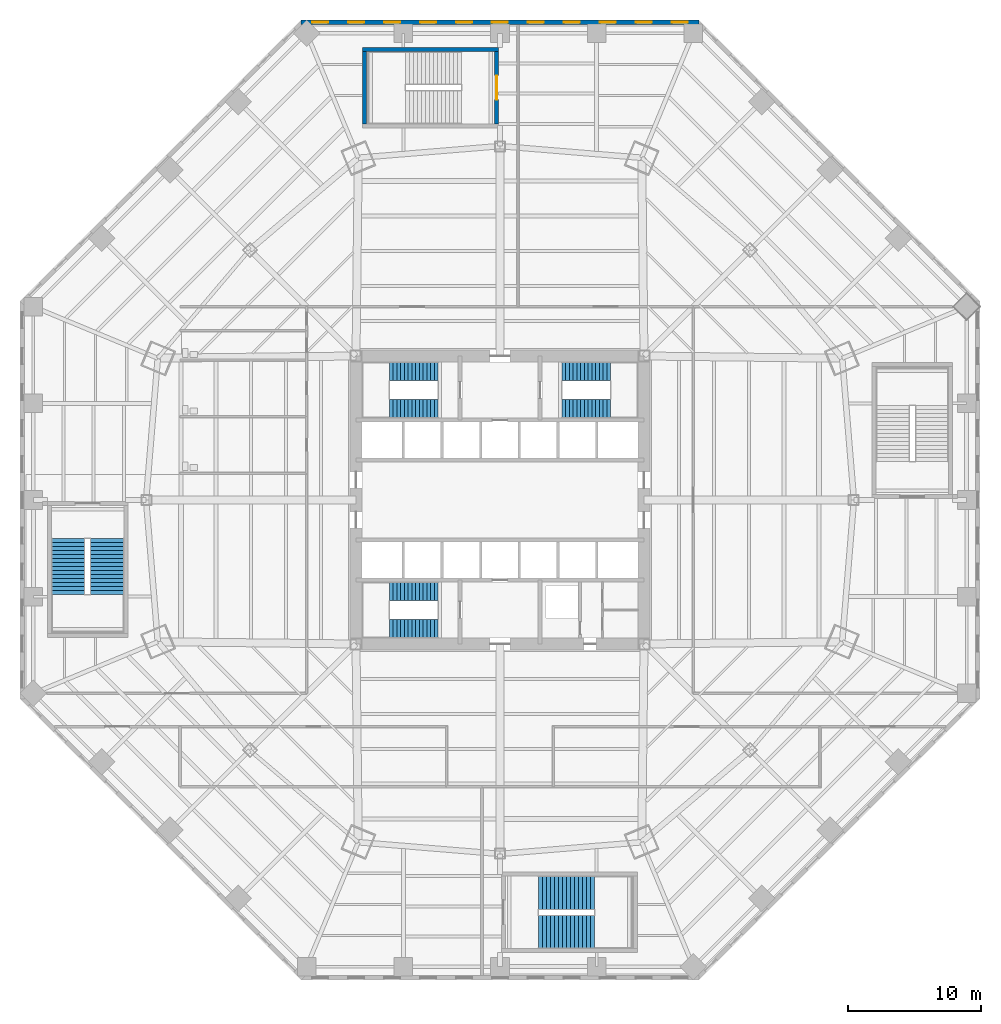
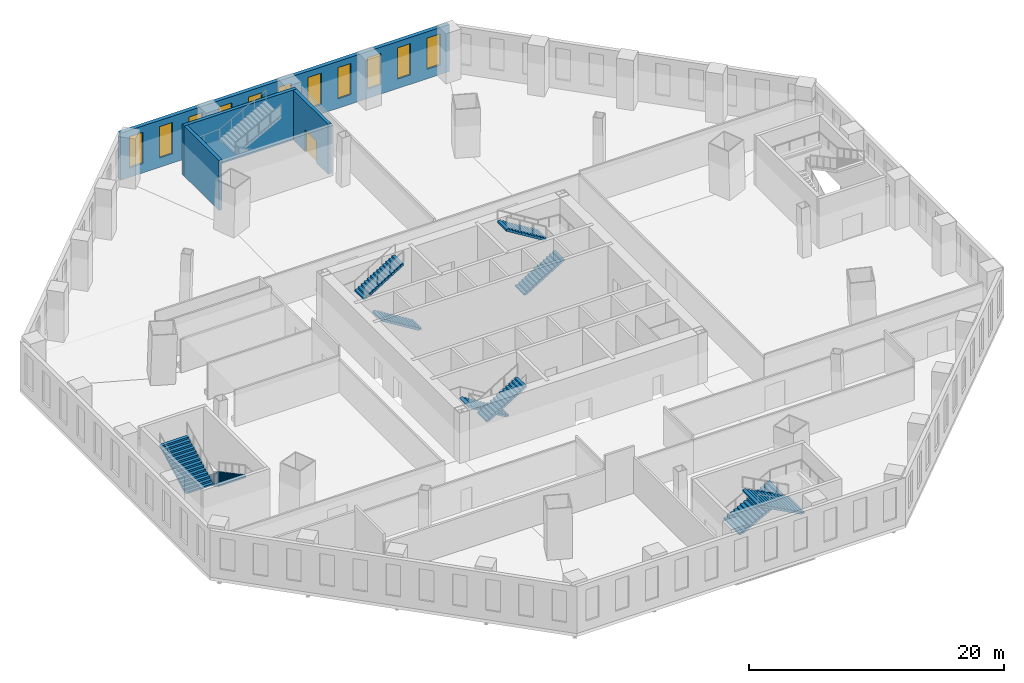
# One storey, part 14 of 19: 11 windows, 10 stair flights, 4 walls, 1 door, 12 openings, 5 elements without a shape of their own.
"""IFC4 building model written with IfcOpenShell, lengths in metres."""

from ifc_helpers import new_model, si_unit, direction, frame, frame_2d, origin, place, context, subcontext, project, spatial, polyline, rectangle, outline, extrude, material, layer, layer_set, type_object, element, fill, aggregate, save


model = new_model("IFC4")

# Units and contexts
model_context = context("Model", 3, precision=1e-05, world=origin(), true_north=direction((0.0, 1.0)))
body_context = subcontext(model_context, "Body", "Model", "MODEL_VIEW")
ifc_project = project(units=[si_unit("LENGTHUNIT", "METRE"), si_unit("AREAUNIT", "SQUARE_METRE"), si_unit("VOLUMEUNIT", "CUBIC_METRE"), si_unit("PLANEANGLEUNIT", "RADIAN"), si_unit("MASSUNIT", "GRAM", prefix="KILO")], contexts=[model_context])

# Site, building, storey
site_placement = place(None, origin())
site = spatial("IfcSite", under=ifc_project, at=site_placement, CompositionType="ELEMENT")
building_placement = place(site_placement, origin())
building = spatial("IfcBuilding", under=site, at=building_placement, Name="Mashrafa Tower", CompositionType="ELEMENT")
storey_placement = place(building_placement, frame((0.0, 0.0, 24.0)))
storey = spatial("IfcBuildingStorey", under=building, at=storey_placement, Name="L04", CompositionType="ELEMENT", Elevation=24.0)

# Wall, openings, windows
ifc_material_1 = material(Name="Riyadh limestone cladding on blockwork", Category="masonry")
ifc_layer_1 = layer(ifc_material_1, 0.35009765625)
ifc_layer_set_1 = layer_set([ifc_layer_1], Name="Limestone-clad external wall 350")
wall_type_1 = type_object("IfcWallType", Name="Limestone-clad external wall 350", PredefinedType="SOLIDWALL", material=ifc_layer_set_1)
wall_1_placement = place(storey_placement, frame((14.91162109375, 35.824951171875, 0.0), z_axis=(0.0, 0.0, 1.0), x_axis=(-1.0, 0.0, 0.0)))
wall_1 = element("IfcWall", 1, at=wall_1_placement, inside=storey, type_object=wall_type_1, Name="Limestone-clad external wall L04 north", PredefinedType="SOLIDWALL", context=body_context, shape_type="SweptSolid", body=[
    extrude(rectangle(XDim=29.8232421875, YDim=0.35009765625, at=frame_2d((14.91162109375, 0.0))), origin(), (0.0, 0.0, 1.0), 4.5),
])
opening_1_placement = place(wall_1_placement, frame((0.821533203125, 0.0, 0.89990234375)))
opening_1 = element("IfcOpeningElement", 2, at=opening_1_placement, cuts=wall_1, Name="Opening W3", PredefinedType="OPENING", context=body_context, shape_type="SweptSolid", body=[
    extrude(rectangle(XDim=1.199951171875, YDim=3.0, at=frame_2d((0.60009765625, 1.5))), frame((0.0, 0.18505859375, 0.0), z_axis=(0.0, -1.0, 0.0), x_axis=(1.0, 0.0, 0.0)), (0.0, 0.0, 1.0), 0.3701171875),
])
opening_2_placement = place(wall_1_placement, frame((3.51953125, 0.0, 0.89990234375)))
opening_2 = element("IfcOpeningElement", 3, at=opening_2_placement, cuts=wall_1, Name="Opening W3", PredefinedType="OPENING", context=body_context, shape_type="SweptSolid", body=[
    extrude(rectangle(XDim=1.199951171875, YDim=3.0, at=frame_2d((0.60009765625, 1.5))), frame((0.0, 0.18505859375, 0.0), z_axis=(0.0, -1.0, 0.0), x_axis=(1.0, 0.0, 0.0)), (0.0, 0.0, 1.0), 0.3701171875),
])
opening_3_placement = place(wall_1_placement, frame((6.217529296875, 0.0, 0.89990234375)))
opening_3 = element("IfcOpeningElement", 4, at=opening_3_placement, cuts=wall_1, Name="Opening W3", PredefinedType="OPENING", context=body_context, shape_type="SweptSolid", body=[
    extrude(rectangle(XDim=1.199951171875, YDim=3.0, at=frame_2d((0.60009765625, 1.5))), frame((0.0, 0.18505859375, 0.0), z_axis=(0.0, -1.0, 0.0), x_axis=(1.0, 0.0, 0.0)), (0.0, 0.0, 1.0), 0.3701171875),
])
opening_4_placement = place(wall_1_placement, frame((8.91552734375, 0.0, 0.89990234375)))
opening_4 = element("IfcOpeningElement", 5, at=opening_4_placement, cuts=wall_1, Name="Opening W3", PredefinedType="OPENING", context=body_context, shape_type="SweptSolid", body=[
    extrude(rectangle(XDim=1.199951171875, YDim=3.0, at=frame_2d((0.60009765625, 1.5))), frame((0.0, 0.18505859375, 0.0), z_axis=(0.0, -1.0, 0.0), x_axis=(1.0, 0.0, 0.0)), (0.0, 0.0, 1.0), 0.3701171875),
])
opening_5_placement = place(wall_1_placement, frame((11.61376953125, 0.0, 0.89990234375)))
opening_5 = element("IfcOpeningElement", 6, at=opening_5_placement, cuts=wall_1, Name="Opening W3", PredefinedType="OPENING", context=body_context, shape_type="SweptSolid", body=[
    extrude(rectangle(XDim=1.199951171875, YDim=3.0, at=frame_2d((0.60009765625, 1.5))), frame((0.0, 0.18505859375, 0.0), z_axis=(0.0, -1.0, 0.0), x_axis=(1.0, 0.0, 0.0)), (0.0, 0.0, 1.0), 0.3701171875),
])
opening_6_placement = place(wall_1_placement, frame((14.311767578125, 0.0, 0.89990234375)))
opening_6 = element("IfcOpeningElement", 7, at=opening_6_placement, cuts=wall_1, Name="Opening W3", PredefinedType="OPENING", context=body_context, shape_type="SweptSolid", body=[
    extrude(rectangle(XDim=1.199951171875, YDim=3.0, at=frame_2d((0.60009765625, 1.5))), frame((0.0, 0.18505859375, 0.0), z_axis=(0.0, -1.0, 0.0), x_axis=(1.0, 0.0, 0.0)), (0.0, 0.0, 1.0), 0.3701171875),
])
opening_7_placement = place(wall_1_placement, frame((17.009765625, 0.0, 0.89990234375)))
opening_7 = element("IfcOpeningElement", 8, at=opening_7_placement, cuts=wall_1, Name="Opening W3", PredefinedType="OPENING", context=body_context, shape_type="SweptSolid", body=[
    extrude(rectangle(XDim=1.199951171875, YDim=3.0, at=frame_2d((0.60009765625, 1.5))), frame((0.0, 0.18505859375, 0.0), z_axis=(0.0, -1.0, 0.0), x_axis=(1.0, 0.0, 0.0)), (0.0, 0.0, 1.0), 0.3701171875),
])
opening_8_placement = place(wall_1_placement, frame((19.707763671875, 0.0, 0.89990234375)))
opening_8 = element("IfcOpeningElement", 9, at=opening_8_placement, cuts=wall_1, Name="Opening W3", PredefinedType="OPENING", context=body_context, shape_type="SweptSolid", body=[
    extrude(rectangle(XDim=1.199951171875, YDim=3.0, at=frame_2d((0.60009765625, 1.5))), frame((0.0, 0.18505859375, 0.0), z_axis=(0.0, -1.0, 0.0), x_axis=(1.0, 0.0, 0.0)), (0.0, 0.0, 1.0), 0.3701171875),
])
opening_9_placement = place(wall_1_placement, frame((22.40576171875, 0.0, 0.89990234375)))
opening_9 = element("IfcOpeningElement", 10, at=opening_9_placement, cuts=wall_1, Name="Opening W3", PredefinedType="OPENING", context=body_context, shape_type="SweptSolid", body=[
    extrude(rectangle(XDim=1.199951171875, YDim=3.0, at=frame_2d((0.60009765625, 1.5))), frame((0.0, 0.18505859375, 0.0), z_axis=(0.0, -1.0, 0.0), x_axis=(1.0, 0.0, 0.0)), (0.0, 0.0, 1.0), 0.3701171875),
])
opening_10_placement = place(wall_1_placement, frame((25.103759765625, 0.0, 0.89990234375)))
opening_10 = element("IfcOpeningElement", 11, at=opening_10_placement, cuts=wall_1, Name="Opening W3", PredefinedType="OPENING", context=body_context, shape_type="SweptSolid", body=[
    extrude(rectangle(XDim=1.199951171875, YDim=3.0, at=frame_2d((0.60009765625, 1.5))), frame((0.0, 0.18505859375, 0.0), z_axis=(0.0, -1.0, 0.0), x_axis=(1.0, 0.0, 0.0)), (0.0, 0.0, 1.0), 0.3701171875),
])
opening_11_placement = place(wall_1_placement, frame((27.8017578125, 0.0, 0.89990234375)))
opening_11 = element("IfcOpeningElement", 12, at=opening_11_placement, cuts=wall_1, Name="Opening W3", PredefinedType="OPENING", context=body_context, shape_type="SweptSolid", body=[
    extrude(rectangle(XDim=1.199951171875, YDim=3.0, at=frame_2d((0.60009765625, 1.5))), frame((0.0, 0.18505859375, 0.0), z_axis=(0.0, -1.0, 0.0), x_axis=(1.0, 0.0, 0.0)), (0.0, 0.0, 1.0), 0.3701171875),
])
ifc_material_2 = material(Name="Bronze-framed insulated glazing", Category="glass")
window_type = type_object("IfcWindowType", Name="Tall punched window 1200 x 3000", PartitioningType="DOUBLE_PANEL_HORIZONTAL", PredefinedType="WINDOW", material=ifc_material_2)
window_1_placement = place(opening_1_placement, origin())
window_1 = element("IfcWindow", 13, at=window_1_placement, inside=storey, type_object=window_type, Name="Window W3 L04 north bay 1", OverallHeight=3.0, OverallWidth=1.199951171875, PartitioningType="SINGLE_PANEL", PredefinedType="WINDOW", context=body_context, shape_type="SweptSolid", body=[
    extrude(rectangle(XDim=1.199951171875, YDim=3.0, at=frame_2d((0.60009765625, 1.5))), frame((0.0, 0.030029296875, 0.0), z_axis=(0.0, -1.0, 0.0), x_axis=(1.0, 0.0, 0.0)), (0.0, 0.0, 1.0), 0.06005859375),
])
fill(opening_1, window_1)
window_2_placement = place(opening_2_placement, origin())
window_2 = element("IfcWindow", 14, at=window_2_placement, inside=storey, type_object=window_type, Name="Window W3 L04 north bay 2", OverallHeight=3.0, OverallWidth=1.199951171875, PartitioningType="SINGLE_PANEL", PredefinedType="WINDOW", context=body_context, shape_type="SweptSolid", body=[
    extrude(rectangle(XDim=1.199951171875, YDim=3.0, at=frame_2d((0.60009765625, 1.5))), frame((0.0, 0.030029296875, 0.0), z_axis=(0.0, -1.0, 0.0), x_axis=(1.0, 0.0, 0.0)), (0.0, 0.0, 1.0), 0.06005859375),
])
fill(opening_2, window_2)
window_3_placement = place(opening_3_placement, origin())
window_3 = element("IfcWindow", 15, at=window_3_placement, inside=storey, type_object=window_type, Name="Window W3 L04 north bay 3", OverallHeight=3.0, OverallWidth=1.199951171875, PartitioningType="SINGLE_PANEL", PredefinedType="WINDOW", context=body_context, shape_type="SweptSolid", body=[
    extrude(rectangle(XDim=1.199951171875, YDim=3.0, at=frame_2d((0.60009765625, 1.5))), frame((0.0, 0.030029296875, 0.0), z_axis=(0.0, -1.0, 0.0), x_axis=(1.0, 0.0, 0.0)), (0.0, 0.0, 1.0), 0.06005859375),
])
fill(opening_3, window_3)
window_4_placement = place(opening_4_placement, origin())
window_4 = element("IfcWindow", 16, at=window_4_placement, inside=storey, type_object=window_type, Name="Window W3 L04 north bay 4", OverallHeight=3.0, OverallWidth=1.199951171875, PartitioningType="SINGLE_PANEL", PredefinedType="WINDOW", context=body_context, shape_type="SweptSolid", body=[
    extrude(rectangle(XDim=1.199951171875, YDim=3.0, at=frame_2d((0.60009765625, 1.5))), frame((0.0, 0.030029296875, 0.0), z_axis=(0.0, -1.0, 0.0), x_axis=(1.0, 0.0, 0.0)), (0.0, 0.0, 1.0), 0.06005859375),
])
fill(opening_4, window_4)
window_5_placement = place(opening_5_placement, origin())
window_5 = element("IfcWindow", 17, at=window_5_placement, inside=storey, type_object=window_type, Name="Window W3 L04 north bay 5", OverallHeight=3.0, OverallWidth=1.199951171875, PartitioningType="SINGLE_PANEL", PredefinedType="WINDOW", context=body_context, shape_type="SweptSolid", body=[
    extrude(rectangle(XDim=1.199951171875, YDim=3.0, at=frame_2d((0.60009765625, 1.5))), frame((0.0, 0.030029296875, 0.0), z_axis=(0.0, -1.0, 0.0), x_axis=(1.0, 0.0, 0.0)), (0.0, 0.0, 1.0), 0.06005859375),
])
fill(opening_5, window_5)
window_6_placement = place(opening_6_placement, origin())
window_6 = element("IfcWindow", 18, at=window_6_placement, inside=storey, type_object=window_type, Name="Window W3 L04 north bay 6", OverallHeight=3.0, OverallWidth=1.199951171875, PartitioningType="SINGLE_PANEL", PredefinedType="WINDOW", context=body_context, shape_type="SweptSolid", body=[
    extrude(rectangle(XDim=1.199951171875, YDim=3.0, at=frame_2d((0.60009765625, 1.5))), frame((0.0, 0.030029296875, 0.0), z_axis=(0.0, -1.0, 0.0), x_axis=(1.0, 0.0, 0.0)), (0.0, 0.0, 1.0), 0.06005859375),
])
fill(opening_6, window_6)
window_7_placement = place(opening_7_placement, origin())
window_7 = element("IfcWindow", 19, at=window_7_placement, inside=storey, type_object=window_type, Name="Window W3 L04 north bay 7", OverallHeight=3.0, OverallWidth=1.199951171875, PartitioningType="SINGLE_PANEL", PredefinedType="WINDOW", context=body_context, shape_type="SweptSolid", body=[
    extrude(rectangle(XDim=1.199951171875, YDim=3.0, at=frame_2d((0.60009765625, 1.5))), frame((0.0, 0.030029296875, 0.0), z_axis=(0.0, -1.0, 0.0), x_axis=(1.0, 0.0, 0.0)), (0.0, 0.0, 1.0), 0.06005859375),
])
fill(opening_7, window_7)
window_8_placement = place(opening_8_placement, origin())
window_8 = element("IfcWindow", 20, at=window_8_placement, inside=storey, type_object=window_type, Name="Window W3 L04 north bay 8", OverallHeight=3.0, OverallWidth=1.199951171875, PartitioningType="SINGLE_PANEL", PredefinedType="WINDOW", context=body_context, shape_type="SweptSolid", body=[
    extrude(rectangle(XDim=1.199951171875, YDim=3.0, at=frame_2d((0.60009765625, 1.5))), frame((0.0, 0.030029296875, 0.0), z_axis=(0.0, -1.0, 0.0), x_axis=(1.0, 0.0, 0.0)), (0.0, 0.0, 1.0), 0.06005859375),
])
fill(opening_8, window_8)
window_9_placement = place(opening_9_placement, origin())
window_9 = element("IfcWindow", 21, at=window_9_placement, inside=storey, type_object=window_type, Name="Window W3 L04 north bay 9", OverallHeight=3.0, OverallWidth=1.199951171875, PartitioningType="SINGLE_PANEL", PredefinedType="WINDOW", context=body_context, shape_type="SweptSolid", body=[
    extrude(rectangle(XDim=1.199951171875, YDim=3.0, at=frame_2d((0.60009765625, 1.5))), frame((0.0, 0.030029296875, 0.0), z_axis=(0.0, -1.0, 0.0), x_axis=(1.0, 0.0, 0.0)), (0.0, 0.0, 1.0), 0.06005859375),
])
fill(opening_9, window_9)
window_10_placement = place(opening_10_placement, origin())
window_10 = element("IfcWindow", 22, at=window_10_placement, inside=storey, type_object=window_type, Name="Window W3 L04 north bay 10", OverallHeight=3.0, OverallWidth=1.199951171875, PartitioningType="SINGLE_PANEL", PredefinedType="WINDOW", context=body_context, shape_type="SweptSolid", body=[
    extrude(rectangle(XDim=1.199951171875, YDim=3.0, at=frame_2d((0.60009765625, 1.5))), frame((0.0, 0.030029296875, 0.0), z_axis=(0.0, -1.0, 0.0), x_axis=(1.0, 0.0, 0.0)), (0.0, 0.0, 1.0), 0.06005859375),
])
fill(opening_10, window_10)
window_11_placement = place(opening_11_placement, origin())
window_11 = element("IfcWindow", 23, at=window_11_placement, inside=storey, type_object=window_type, Name="Window W3 L04 north bay 11", OverallHeight=3.0, OverallWidth=1.199951171875, PartitioningType="SINGLE_PANEL", PredefinedType="WINDOW", context=body_context, shape_type="SweptSolid", body=[
    extrude(rectangle(XDim=1.199951171875, YDim=3.0, at=frame_2d((0.60009765625, 1.5))), frame((0.0, 0.030029296875, 0.0), z_axis=(0.0, -1.0, 0.0), x_axis=(1.0, 0.0, 0.0)), (0.0, 0.0, 1.0), 0.06005859375),
])
fill(opening_11, window_11)

# Walls
ifc_material_3 = material(Name="Concrete C35/45", Category="concrete")
ifc_layer_2 = layer(ifc_material_3, 0.300048828125)
ifc_layer_set_2 = layer_set([ifc_layer_2], Name="Stair core wall 300 3 hr")
wall_type_2 = type_object("IfcWallType", Name="Stair core wall 300 3 hr", PredefinedType="SOLIDWALL", material=ifc_layer_set_2)
wall_2_placement = place(storey_placement, frame((-0.10009765625, 33.800048828125, 0.0), z_axis=(0.0, 0.0, 1.0), x_axis=(-1.0, 0.0, 0.0)))
element("IfcWall", 24, at=wall_2_placement, inside=storey, type_object=wall_type_2, Name="Stair P2 core wall N L04", PredefinedType="SOLIDWALL", context=body_context, shape_type="SweptSolid", body=[
    extrude(rectangle(XDim=10.199951171875, YDim=0.300048828125, at=frame_2d((5.10009765625, 0.0))), origin(), (0.0, 0.0, 1.0), 4.800048828125),
])
wall_3_placement = place(storey_placement, frame((-10.14990234375, 33.64990234375, 0.0), z_axis=(0.0, 0.0, 1.0), x_axis=(0.0, -1.0, 0.0)))
element("IfcWall", 25, at=wall_3_placement, inside=storey, type_object=wall_type_2, Name="Stair P2 core wall W L04", PredefinedType="SOLIDWALL", context=body_context, shape_type="SweptSolid", body=[
    extrude(rectangle(XDim=5.449951171875, YDim=0.300048828125, at=frame_2d((2.72509765625, 0.0))), origin(), (0.0, 0.0, 1.0), 4.800048828125),
])

# Wall, opening, door
wall_4_placement = place(storey_placement, frame((-0.25, 28.199951171875, 0.0), z_axis=(0.0, 0.0, 1.0), x_axis=(0.0, 1.0, 0.0)))
wall_4 = element("IfcWall", 26, at=wall_4_placement, inside=storey, type_object=wall_type_2, Name="Stair P2 core wall E L04", PredefinedType="SOLIDWALL", context=body_context, shape_type="SweptSolid", body=[
    extrude(rectangle(XDim=5.449951171875, YDim=0.300048828125, at=frame_2d((2.72509765625, 0.0))), origin(), (0.0, 0.0, 1.0), 4.800048828125),
])
opening_12_placement = place(wall_4_placement, frame((1.824951171875, 0.0, 0.0)))
opening_12 = element("IfcOpeningElement", 27, at=opening_12_placement, cuts=wall_4, Name="Opening 04.027", PredefinedType="OPENING", context=body_context, shape_type="SweptSolid", body=[
    extrude(rectangle(XDim=1.800048828125, YDim=2.10009765625, at=frame_2d((0.89990234375, 1.050048828125))), frame((0.0, 0.159912109375, 0.0), z_axis=(0.0, -1.0, 0.0), x_axis=(1.0, 0.0, 0.0)), (0.0, 0.0, 1.0), 0.320068359375),
])
ifc_material_4 = material(Name="Steel door", Category="steel")
door_type = type_object("IfcDoorType", Name="Stair door pair 1800 x 2100 90 min", OperationType="DOUBLE_DOOR_SINGLE_SWING", PredefinedType="DOOR", material=ifc_material_4)
door_placement = place(opening_12_placement, origin())
door = element("IfcDoor", 28, at=door_placement, inside=storey, type_object=door_type, Name="Stair P2 door L04", OperationType="DOUBLE_DOOR_SINGLE_SWING", OverallHeight=2.10009765625, OverallWidth=1.800048828125, PredefinedType="DOOR", context=body_context, shape_type="SweptSolid", body=[
    extrude(rectangle(XDim=1.800048828125, YDim=2.10009765625, at=frame_2d((0.89990234375, 1.050048828125))), frame((0.0, 0.02490234375, 0.0), z_axis=(0.0, -1.0, 0.0), x_axis=(1.0, 0.0, 0.0)), (0.0, 0.0, 1.0), 0.050048828125),
])
fill(opening_12, door)

# Stair, stair flights
ifc_material_5 = material(Name="Exit stair 1400")
stair_type_1 = type_object("IfcStairType", Name="Exit stair 1400", PredefinedType="HALF_TURN_STAIR", material=ifc_material_5)
stair_1_placement = place(storey_placement, origin())
stair_1 = element("IfcStair", 29, at=stair_1_placement, inside=storey, type_object=stair_type_1, Name="Stair S1 L04", PredefinedType="HALF_TURN_STAIR")
ifc_material_6 = material(Name="Concrete C32/40", Category="concrete")
stair_flight_type_1 = type_object("IfcStairFlightType", Name="Stair flight 1400", PredefinedType="STRAIGHT", material=ifc_material_6)
stair_flight_1_placement = place(storey_placement, frame((-4.64990234375, 6.85009765625, 0.0), z_axis=(0.0, 0.0, 1.0), x_axis=(-1.0, 0.0, 0.0)))
stair_flight_1 = element("IfcStairFlight", 30, at=stair_flight_1_placement, type_object=stair_flight_type_1, Name="S1 flight 1", NumberOfRisers=14, NumberOfTreads=13, PredefinedType="STRAIGHT", RiserHeight=0.171428571, TreadLength=0.28, context=body_context, shape_type="SweptSolid", body=[
    extrude(outline(polyline([(0.0, 0.0), (0.0, 0.17138671875), (0.280029296875, 0.17138671875), (0.280029296875, 0.3427734375), (0.56005859375, 0.3427734375), (0.56005859375, 0.514404296875), (0.840087890625, 0.514404296875), (0.840087890625, 0.685791015625), (1.1201171875, 0.685791015625), (1.1201171875, 0.857177734375), (1.39990234375, 0.857177734375), (1.39990234375, 1.028564453125), (1.679931640625, 1.028564453125), (1.679931640625, 1.199951171875), (1.9599609375, 1.199951171875), (1.9599609375, 1.371337890625), (2.239990234375, 1.371337890625), (2.239990234375, 1.54296875), (2.52001953125, 1.54296875), (2.52001953125, 1.71435546875), (2.800048828125, 1.71435546875), (2.800048828125, 1.8857421875), (3.080078125, 1.8857421875), (3.080078125, 2.05712890625), (3.360107421875, 2.05712890625), (3.360107421875, 2.228515625), (3.639892578125, 2.228515625), (3.639892578125, 2.39990234375), (3.639892578125, 2.052734375), (0.287109375, 0.0), (0.0, 0.0)])), frame((0.0, 0.699951171875, 0.0), z_axis=(0.0, -1.0, 0.0), x_axis=(1.0, 0.0, 0.0)), (0.0, 0.0, 1.0), 1.39990234375),
])
stair_flight_2_placement = place(storey_placement, frame((-8.2900390625, 9.64990234375, 2.39990234375), z_axis=(0.0, 0.0, 1.0), x_axis=(1.0, 0.0, 0.0)))
stair_flight_2 = element("IfcStairFlight", 31, at=stair_flight_2_placement, type_object=stair_flight_type_1, Name="S1 flight 2", NumberOfRisers=14, NumberOfTreads=13, PredefinedType="STRAIGHT", RiserHeight=0.171428571, TreadLength=0.28, context=body_context, shape_type="SweptSolid", body=[
    extrude(outline(polyline([(0.0, 0.0), (0.0, 0.17138671875), (0.280029296875, 0.17138671875), (0.280029296875, 0.3427734375), (0.56005859375, 0.3427734375), (0.56005859375, 0.514404296875), (0.840087890625, 0.514404296875), (0.840087890625, 0.685791015625), (1.1201171875, 0.685791015625), (1.1201171875, 0.857177734375), (1.39990234375, 0.857177734375), (1.39990234375, 1.028564453125), (1.679931640625, 1.028564453125), (1.679931640625, 1.199951171875), (1.9599609375, 1.199951171875), (1.9599609375, 1.371337890625), (2.239990234375, 1.371337890625), (2.239990234375, 1.54296875), (2.52001953125, 1.54296875), (2.52001953125, 1.71435546875), (2.800048828125, 1.71435546875), (2.800048828125, 1.8857421875), (3.080078125, 1.8857421875), (3.080078125, 2.05712890625), (3.360107421875, 2.05712890625), (3.360107421875, 2.228515625), (3.639892578125, 2.228515625), (3.639892578125, 2.39990234375), (3.639892578125, 2.052734375), (0.287109375, 0.0), (0.0, 0.0)])), frame((0.0, 0.699951171875, 0.0), z_axis=(0.0, -1.0, 0.0), x_axis=(1.0, 0.0, 0.0)), (0.0, 0.0, 1.0), 1.39990234375),
])
aggregate(stair_1, [stair_flight_1, stair_flight_2])

stair_2_placement = place(storey_placement, origin())
stair_2 = element("IfcStair", 32, at=stair_2_placement, inside=storey, type_object=stair_type_1, Name="Stair S2 L04", PredefinedType="HALF_TURN_STAIR")
stair_flight_3_placement = place(storey_placement, frame((4.64990234375, 6.85009765625, 0.0), z_axis=(0.0, 0.0, 1.0), x_axis=(1.0, 0.0, 0.0)))
stair_flight_3 = element("IfcStairFlight", 33, at=stair_flight_3_placement, type_object=stair_flight_type_1, Name="S2 flight 1", NumberOfRisers=14, NumberOfTreads=13, PredefinedType="STRAIGHT", RiserHeight=0.171428571, TreadLength=0.28, context=body_context, shape_type="SweptSolid", body=[
    extrude(outline(polyline([(0.0, 0.0), (0.0, 0.17138671875), (0.280029296875, 0.17138671875), (0.280029296875, 0.3427734375), (0.56005859375, 0.3427734375), (0.56005859375, 0.514404296875), (0.840087890625, 0.514404296875), (0.840087890625, 0.685791015625), (1.1201171875, 0.685791015625), (1.1201171875, 0.857177734375), (1.39990234375, 0.857177734375), (1.39990234375, 1.028564453125), (1.679931640625, 1.028564453125), (1.679931640625, 1.199951171875), (1.9599609375, 1.199951171875), (1.9599609375, 1.371337890625), (2.239990234375, 1.371337890625), (2.239990234375, 1.54296875), (2.52001953125, 1.54296875), (2.52001953125, 1.71435546875), (2.800048828125, 1.71435546875), (2.800048828125, 1.8857421875), (3.080078125, 1.8857421875), (3.080078125, 2.05712890625), (3.360107421875, 2.05712890625), (3.360107421875, 2.228515625), (3.639892578125, 2.228515625), (3.639892578125, 2.39990234375), (3.639892578125, 2.052734375), (0.287109375, 0.0), (0.0, 0.0)])), frame((0.0, 0.699951171875, 0.0), z_axis=(0.0, -1.0, 0.0), x_axis=(1.0, 0.0, 0.0)), (0.0, 0.0, 1.0), 1.39990234375),
])
stair_flight_4_placement = place(storey_placement, frame((8.2900390625, 9.64990234375, 2.39990234375), z_axis=(0.0, 0.0, 1.0), x_axis=(-1.0, 0.0, 0.0)))
stair_flight_4 = element("IfcStairFlight", 34, at=stair_flight_4_placement, type_object=stair_flight_type_1, Name="S2 flight 2", NumberOfRisers=14, NumberOfTreads=13, PredefinedType="STRAIGHT", RiserHeight=0.171428571, TreadLength=0.28, context=body_context, shape_type="SweptSolid", body=[
    extrude(outline(polyline([(0.0, 0.0), (0.0, 0.17138671875), (0.280029296875, 0.17138671875), (0.280029296875, 0.3427734375), (0.56005859375, 0.3427734375), (0.56005859375, 0.514404296875), (0.840087890625, 0.514404296875), (0.840087890625, 0.685791015625), (1.1201171875, 0.685791015625), (1.1201171875, 0.857177734375), (1.39990234375, 0.857177734375), (1.39990234375, 1.028564453125), (1.679931640625, 1.028564453125), (1.679931640625, 1.199951171875), (1.9599609375, 1.199951171875), (1.9599609375, 1.371337890625), (2.239990234375, 1.371337890625), (2.239990234375, 1.54296875), (2.52001953125, 1.54296875), (2.52001953125, 1.71435546875), (2.800048828125, 1.71435546875), (2.800048828125, 1.8857421875), (3.080078125, 1.8857421875), (3.080078125, 2.05712890625), (3.360107421875, 2.05712890625), (3.360107421875, 2.228515625), (3.639892578125, 2.228515625), (3.639892578125, 2.39990234375), (3.639892578125, 2.052734375), (0.287109375, 0.0), (0.0, 0.0)])), frame((0.0, 0.699951171875, 0.0), z_axis=(0.0, -1.0, 0.0), x_axis=(1.0, 0.0, 0.0)), (0.0, 0.0, 1.0), 1.39990234375),
])
aggregate(stair_2, [stair_flight_3, stair_flight_4])

stair_3_placement = place(storey_placement, origin())
stair_3 = element("IfcStair", 35, at=stair_3_placement, inside=storey, type_object=stair_type_1, Name="Stair S3 L04", PredefinedType="HALF_TURN_STAIR")
stair_flight_5_placement = place(storey_placement, frame((-4.64990234375, -6.85009765625, 0.0), z_axis=(0.0, 0.0, 1.0), x_axis=(-1.0, 0.0, 0.0)))
stair_flight_5 = element("IfcStairFlight", 36, at=stair_flight_5_placement, type_object=stair_flight_type_1, Name="S3 flight 1", NumberOfRisers=14, NumberOfTreads=13, PredefinedType="STRAIGHT", RiserHeight=0.171428571, TreadLength=0.28, context=body_context, shape_type="SweptSolid", body=[
    extrude(outline(polyline([(0.0, 0.0), (0.0, 0.17138671875), (0.280029296875, 0.17138671875), (0.280029296875, 0.3427734375), (0.56005859375, 0.3427734375), (0.56005859375, 0.514404296875), (0.840087890625, 0.514404296875), (0.840087890625, 0.685791015625), (1.1201171875, 0.685791015625), (1.1201171875, 0.857177734375), (1.39990234375, 0.857177734375), (1.39990234375, 1.028564453125), (1.679931640625, 1.028564453125), (1.679931640625, 1.199951171875), (1.9599609375, 1.199951171875), (1.9599609375, 1.371337890625), (2.239990234375, 1.371337890625), (2.239990234375, 1.54296875), (2.52001953125, 1.54296875), (2.52001953125, 1.71435546875), (2.800048828125, 1.71435546875), (2.800048828125, 1.8857421875), (3.080078125, 1.8857421875), (3.080078125, 2.05712890625), (3.360107421875, 2.05712890625), (3.360107421875, 2.228515625), (3.639892578125, 2.228515625), (3.639892578125, 2.39990234375), (3.639892578125, 2.052734375), (0.287109375, 0.0), (0.0, 0.0)])), frame((0.0, 0.699951171875, 0.0), z_axis=(0.0, -1.0, 0.0), x_axis=(1.0, 0.0, 0.0)), (0.0, 0.0, 1.0), 1.39990234375),
])
stair_flight_6_placement = place(storey_placement, frame((-8.2900390625, -9.64990234375, 2.39990234375), z_axis=(0.0, 0.0, 1.0), x_axis=(1.0, 0.0, 0.0)))
stair_flight_6 = element("IfcStairFlight", 37, at=stair_flight_6_placement, type_object=stair_flight_type_1, Name="S3 flight 2", NumberOfRisers=14, NumberOfTreads=13, PredefinedType="STRAIGHT", RiserHeight=0.171428571, TreadLength=0.28, context=body_context, shape_type="SweptSolid", body=[
    extrude(outline(polyline([(0.0, 0.0), (0.0, 0.17138671875), (0.280029296875, 0.17138671875), (0.280029296875, 0.3427734375), (0.56005859375, 0.3427734375), (0.56005859375, 0.514404296875), (0.840087890625, 0.514404296875), (0.840087890625, 0.685791015625), (1.1201171875, 0.685791015625), (1.1201171875, 0.857177734375), (1.39990234375, 0.857177734375), (1.39990234375, 1.028564453125), (1.679931640625, 1.028564453125), (1.679931640625, 1.199951171875), (1.9599609375, 1.199951171875), (1.9599609375, 1.371337890625), (2.239990234375, 1.371337890625), (2.239990234375, 1.54296875), (2.52001953125, 1.54296875), (2.52001953125, 1.71435546875), (2.800048828125, 1.71435546875), (2.800048828125, 1.8857421875), (3.080078125, 1.8857421875), (3.080078125, 2.05712890625), (3.360107421875, 2.05712890625), (3.360107421875, 2.228515625), (3.639892578125, 2.228515625), (3.639892578125, 2.39990234375), (3.639892578125, 2.052734375), (0.287109375, 0.0), (0.0, 0.0)])), frame((0.0, 0.699951171875, 0.0), z_axis=(0.0, -1.0, 0.0), x_axis=(1.0, 0.0, 0.0)), (0.0, 0.0, 1.0), 1.39990234375),
])
aggregate(stair_3, [stair_flight_5, stair_flight_6])

ifc_material_7 = material(Name="Exit stair 2500")
stair_type_2 = type_object("IfcStairType", Name="Exit stair 2500", PredefinedType="HALF_TURN_STAIR", material=ifc_material_7)
stair_4_placement = place(storey_placement, origin())
stair_4 = element("IfcStair", 38, at=stair_4_placement, inside=storey, type_object=stair_type_2, Name="Stair P3 L04", PredefinedType="HALF_TURN_STAIR")
ifc_material_8 = material(Name="Concrete C32/40", Category="concrete")
stair_flight_type_2 = type_object("IfcStairFlightType", Name="Stair flight 2500", PredefinedType="STRAIGHT", material=ifc_material_8)
stair_flight_7_placement = place(storey_placement, frame((-29.449951171875, -2.89990234375, 0.0), z_axis=(0.0, 0.0, 1.0), x_axis=(0.0, -1.0, 0.0)))
stair_flight_7 = element("IfcStairFlight", 39, at=stair_flight_7_placement, type_object=stair_flight_type_2, Name="P3 flight 1", NumberOfRisers=15, NumberOfTreads=14, PredefinedType="STRAIGHT", RiserHeight=0.16, TreadLength=0.3, context=body_context, shape_type="SweptSolid", body=[
    extrude(outline(polyline([(0.0, 0.0), (0.0, 0.159912109375), (0.300048828125, 0.159912109375), (0.300048828125, 0.320068359375), (0.60009765625, 0.320068359375), (0.60009765625, 0.47998046875), (0.89990234375, 0.47998046875), (0.89990234375, 0.639892578125), (1.199951171875, 0.639892578125), (1.199951171875, 0.800048828125), (1.5, 0.800048828125), (1.5, 0.9599609375), (1.800048828125, 0.9599609375), (1.800048828125, 1.1201171875), (2.10009765625, 1.1201171875), (2.10009765625, 1.280029296875), (2.39990234375, 1.280029296875), (2.39990234375, 1.43994140625), (2.699951171875, 1.43994140625), (2.699951171875, 1.60009765625), (3.0, 1.60009765625), (3.0, 1.760009765625), (3.300048828125, 1.760009765625), (3.300048828125, 1.919921875), (3.60009765625, 1.919921875), (3.60009765625, 2.080078125), (3.89990234375, 2.080078125), (3.89990234375, 2.239990234375), (4.199951171875, 2.239990234375), (4.199951171875, 2.39990234375), (4.199951171875, 2.070068359375), (0.318603515625, 0.0), (0.0, 0.0)])), frame((0.0, 1.25, 0.0), z_axis=(0.0, -1.0, 0.0), x_axis=(1.0, 0.0, 0.0)), (0.0, 0.0, 1.0), 2.5),
])
stair_flight_8_placement = place(storey_placement, frame((-32.39990234375, -7.10009765625, 2.39990234375), z_axis=(0.0, 0.0, 1.0), x_axis=(0.0, 1.0, 0.0)))
stair_flight_8 = element("IfcStairFlight", 40, at=stair_flight_8_placement, type_object=stair_flight_type_2, Name="P3 flight 2", NumberOfRisers=15, NumberOfTreads=14, PredefinedType="STRAIGHT", RiserHeight=0.16, TreadLength=0.3, context=body_context, shape_type="SweptSolid", body=[
    extrude(outline(polyline([(0.0, 0.0), (0.0, 0.159912109375), (0.300048828125, 0.159912109375), (0.300048828125, 0.320068359375), (0.60009765625, 0.320068359375), (0.60009765625, 0.47998046875), (0.89990234375, 0.47998046875), (0.89990234375, 0.639892578125), (1.199951171875, 0.639892578125), (1.199951171875, 0.800048828125), (1.5, 0.800048828125), (1.5, 0.9599609375), (1.800048828125, 0.9599609375), (1.800048828125, 1.1201171875), (2.10009765625, 1.1201171875), (2.10009765625, 1.280029296875), (2.39990234375, 1.280029296875), (2.39990234375, 1.43994140625), (2.699951171875, 1.43994140625), (2.699951171875, 1.60009765625), (3.0, 1.60009765625), (3.0, 1.760009765625), (3.300048828125, 1.760009765625), (3.300048828125, 1.919921875), (3.60009765625, 1.919921875), (3.60009765625, 2.080078125), (3.89990234375, 2.080078125), (3.89990234375, 2.239990234375), (4.199951171875, 2.239990234375), (4.199951171875, 2.39990234375), (4.199951171875, 2.070068359375), (0.318603515625, 0.0), (0.0, 0.0)])), frame((0.0, 1.25, 0.0), z_axis=(0.0, -1.0, 0.0), x_axis=(1.0, 0.0, 0.0)), (0.0, 0.0, 1.0), 2.5),
])
aggregate(stair_4, [stair_flight_7, stair_flight_8])

stair_5_placement = place(storey_placement, origin())
stair_5 = element("IfcStair", 41, at=stair_5_placement, inside=storey, type_object=stair_type_2, Name="Stair P4 L04", PredefinedType="HALF_TURN_STAIR")
stair_flight_9_placement = place(storey_placement, frame((2.89990234375, -29.449951171875, 0.0), z_axis=(0.0, 0.0, 1.0), x_axis=(1.0, 0.0, 0.0)))
stair_flight_9 = element("IfcStairFlight", 42, at=stair_flight_9_placement, type_object=stair_flight_type_2, Name="P4 flight 1", NumberOfRisers=15, NumberOfTreads=14, PredefinedType="STRAIGHT", RiserHeight=0.16, TreadLength=0.3, context=body_context, shape_type="SweptSolid", body=[
    extrude(outline(polyline([(0.0, 0.0), (0.0, 0.159912109375), (0.300048828125, 0.159912109375), (0.300048828125, 0.320068359375), (0.60009765625, 0.320068359375), (0.60009765625, 0.47998046875), (0.89990234375, 0.47998046875), (0.89990234375, 0.639892578125), (1.199951171875, 0.639892578125), (1.199951171875, 0.800048828125), (1.5, 0.800048828125), (1.5, 0.9599609375), (1.800048828125, 0.9599609375), (1.800048828125, 1.1201171875), (2.10009765625, 1.1201171875), (2.10009765625, 1.280029296875), (2.39990234375, 1.280029296875), (2.39990234375, 1.43994140625), (2.699951171875, 1.43994140625), (2.699951171875, 1.60009765625), (3.0, 1.60009765625), (3.0, 1.760009765625), (3.300048828125, 1.760009765625), (3.300048828125, 1.919921875), (3.60009765625, 1.919921875), (3.60009765625, 2.080078125), (3.89990234375, 2.080078125), (3.89990234375, 2.239990234375), (4.199951171875, 2.239990234375), (4.199951171875, 2.39990234375), (4.199951171875, 2.070068359375), (0.318603515625, 0.0), (0.0, 0.0)])), frame((0.0, 1.25, 0.0), z_axis=(0.0, -1.0, 0.0), x_axis=(1.0, 0.0, 0.0)), (0.0, 0.0, 1.0), 2.5),
])
stair_flight_10_placement = place(storey_placement, frame((7.10009765625, -32.39990234375, 2.39990234375), z_axis=(0.0, 0.0, 1.0), x_axis=(-1.0, 0.0, 0.0)))
stair_flight_10 = element("IfcStairFlight", 43, at=stair_flight_10_placement, type_object=stair_flight_type_2, Name="P4 flight 2", NumberOfRisers=15, NumberOfTreads=14, PredefinedType="STRAIGHT", RiserHeight=0.16, TreadLength=0.3, context=body_context, shape_type="SweptSolid", body=[
    extrude(outline(polyline([(0.0, 0.0), (0.0, 0.159912109375), (0.300048828125, 0.159912109375), (0.300048828125, 0.320068359375), (0.60009765625, 0.320068359375), (0.60009765625, 0.47998046875), (0.89990234375, 0.47998046875), (0.89990234375, 0.639892578125), (1.199951171875, 0.639892578125), (1.199951171875, 0.800048828125), (1.5, 0.800048828125), (1.5, 0.9599609375), (1.800048828125, 0.9599609375), (1.800048828125, 1.1201171875), (2.10009765625, 1.1201171875), (2.10009765625, 1.280029296875), (2.39990234375, 1.280029296875), (2.39990234375, 1.43994140625), (2.699951171875, 1.43994140625), (2.699951171875, 1.60009765625), (3.0, 1.60009765625), (3.0, 1.760009765625), (3.300048828125, 1.760009765625), (3.300048828125, 1.919921875), (3.60009765625, 1.919921875), (3.60009765625, 2.080078125), (3.89990234375, 2.080078125), (3.89990234375, 2.239990234375), (4.199951171875, 2.239990234375), (4.199951171875, 2.39990234375), (4.199951171875, 2.070068359375), (0.318603515625, 0.0), (0.0, 0.0)])), frame((0.0, 1.25, 0.0), z_axis=(0.0, -1.0, 0.0), x_axis=(1.0, 0.0, 0.0)), (0.0, 0.0, 1.0), 2.5),
])
aggregate(stair_5, [stair_flight_9, stair_flight_10])

save(model, "model.ifc")
